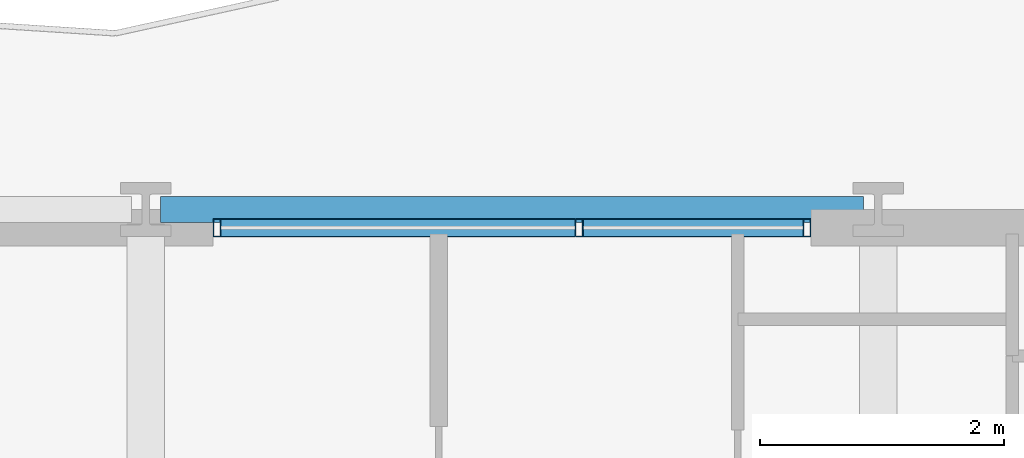
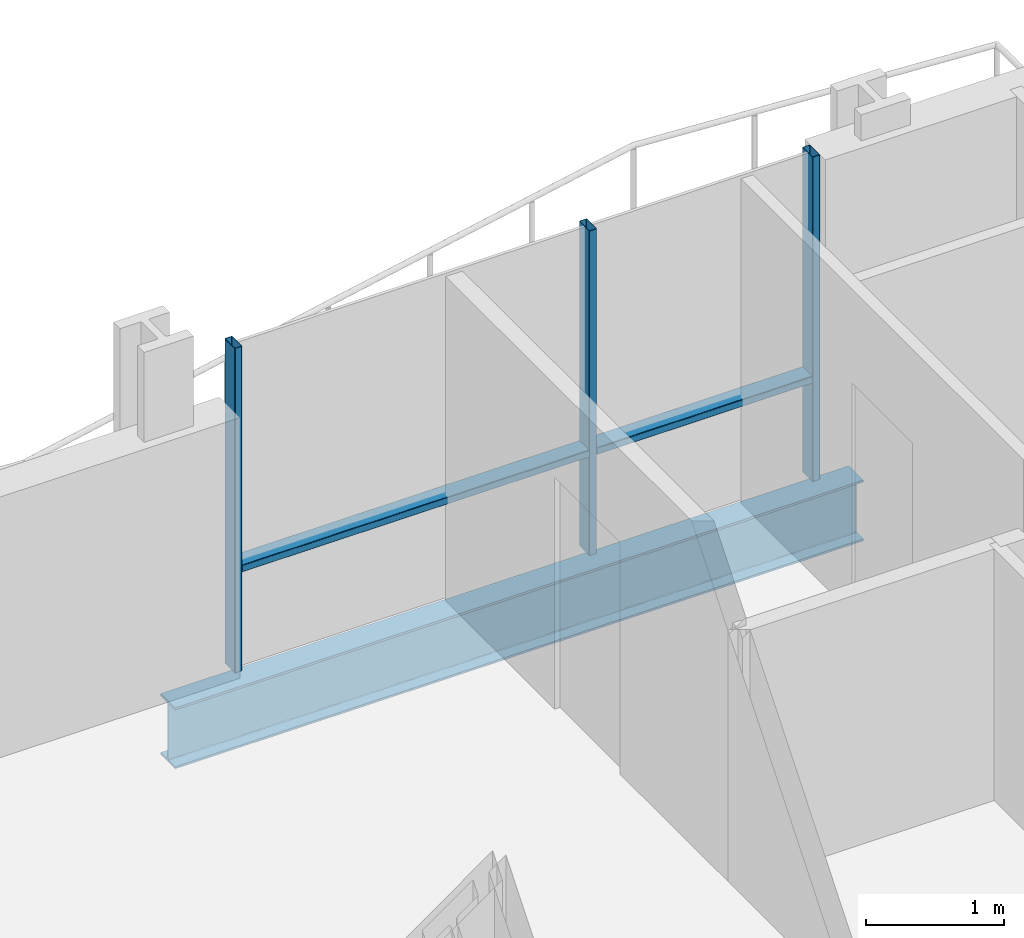
# One storey, part 24 of 41: 5 members, 1 beam, 1 element without a shape of its own.
"""IFC4 building model written with IfcOpenShell, lengths in metres."""

from ifc_helpers import new_model, si_unit, direction, frame, origin, origin_2d, place, context, subcontext, project, spatial, hollow_rectangle, i_section, extrude, material, layer, layer_set, material_profile, profile_set, type_object, element, aggregate, save


model = new_model("IFC4")

# Units and contexts
model_context = context("Model", 3, precision=1e-05, world=origin(), true_north=direction((0.0, 1.0)))
body_context = subcontext(model_context, "Body", "Model", "MODEL_VIEW")
ifc_project = project(units=[si_unit("LENGTHUNIT", "METRE"), si_unit("AREAUNIT", "SQUARE_METRE"), si_unit("VOLUMEUNIT", "CUBIC_METRE"), si_unit("PLANEANGLEUNIT", "RADIAN"), si_unit("MASSUNIT", "GRAM", prefix="KILO")], contexts=[model_context])

# Site, building, storey
site_placement = place(None, origin())
site = spatial("IfcSite", under=ifc_project, at=site_placement, CompositionType="ELEMENT")
building_placement = place(site_placement, origin())
building = spatial("IfcBuilding", under=site, at=building_placement, Name="Brevholm Reach", CompositionType="ELEMENT")
storey_placement = place(building_placement, frame((0.0, 0.0, 49.699951171875)))
storey = spatial("IfcBuildingStorey", under=building, at=storey_placement, Name="L13", CompositionType="ELEMENT", Elevation=49.699951171875)

# Beam
ifc_material_1 = material(Name="Structural Steel S355J2", Category="steel")
ifc_material_profile_1 = material_profile(ifc_material_1, i_section(OverallWidth=0.210693359375, OverallDepth=0.53955078125, WebThickness=0.01171875, FlangeThickness=0.018798828125, FilletRadius=0.0126953125, at=origin_2d()), Name="UKB 533x210x109")
ifc_profile_set_1 = profile_set([ifc_material_profile_1], Name="Structural Steel S355J2")
beam_type = type_object("IfcBeamType", Name="BM-SP539", PredefinedType="SPANDREL", material=ifc_profile_set_1)
beam_placement = place(storey_placement, frame((48.1201171875, 31.0, -0.499755859375), z_axis=(1.0, 0.0, 0.0), x_axis=(0.0, 1.0, 0.0)))
element("IfcBeam", 1, at=beam_placement, inside=storey, type_object=beam_type, Name="L13 SP-01B Framing Beam", PredefinedType="SPANDREL", context=body_context, shape_type="SweptSolid", body=[
    extrude(i_section(OverallWidth=0.210693359375, OverallDepth=0.53955078125, WebThickness=0.01171875, FlangeThickness=0.018798828125, FilletRadius=0.0126953125, at=origin_2d()), origin(), (0.0, 0.0, 1.0), 5.759765625),
])

# Curtain wall, members
ifc_material_2 = material(Name="Dark Anodised Aluminium 6063-T6 and Solar-Control Glass", Category="aluminium")
ifc_layer = layer(ifc_material_2, 0.14990234375)
ifc_layer_set = layer_set([ifc_layer], Name="Dark Anodised Aluminium 6063-T6 and Solar-Control Glass")
curtain_wall_type = type_object("IfcCurtainWallType", Name="CW-01", PredefinedType="NOTDEFINED", material=ifc_layer_set)
curtain_wall_placement = place(storey_placement, origin())
curtain_wall = element("IfcCurtainWall", 2, at=curtain_wall_placement, inside=storey, type_object=curtain_wall_type, Name="L13 Curtain Wall CW-01", PredefinedType="NOTDEFINED")
ifc_material_3 = material(Name="Dark Anodised Aluminium 6063-T6", Category="aluminium")
ifc_material_profile_2 = material_profile(ifc_material_3, hollow_rectangle(XDim=0.06494140625, YDim=0.14990234375, WallThickness=0.0048828125, InnerFilletRadius=0.0048828125, OuterFilletRadius=0.010009765625, at=origin_2d()), Name="RHS 150x65x5")
ifc_profile_set_2 = profile_set([ifc_material_profile_2], Name="Dark Anodised Aluminium 6063-T6")
member_type_1 = type_object("IfcMemberType", Name="CWM-150", PredefinedType="MULLION", material=ifc_profile_set_2)
member_1_placement = place(storey_placement, frame((48.58251953125, 30.85009765625, 0.0), z_axis=(0.0, 0.0, 1.0), x_axis=(1.0, 0.0, 0.0)))
member_1 = element("IfcMember", 3, at=member_1_placement, type_object=member_type_1, Name="CM-150 Mullion 1", PredefinedType="MULLION", context=body_context, shape_type="SweptSolid", body=[
    extrude(hollow_rectangle(XDim=0.06494140625, YDim=0.14990234375, WallThickness=0.0048828125, InnerFilletRadius=0.0048828125, OuterFilletRadius=0.010009765625, at=origin_2d()), origin(), (0.0, 0.0, 1.0), 2.8701171875),
])
member_2_placement = place(storey_placement, frame((51.550048828125, 30.85009765625, 0.0), z_axis=(0.0, 0.0, 1.0), x_axis=(1.0, 0.0, 0.0)))
member_2 = element("IfcMember", 4, at=member_2_placement, type_object=member_type_1, Name="CM-150 Mullion 2", PredefinedType="MULLION", context=body_context, shape_type="SweptSolid", body=[
    extrude(hollow_rectangle(XDim=0.06494140625, YDim=0.14990234375, WallThickness=0.0048828125, InnerFilletRadius=0.0048828125, OuterFilletRadius=0.010009765625, at=origin_2d()), origin(), (0.0, 0.0, 1.0), 2.8701171875),
])
member_3_placement = place(storey_placement, frame((53.41748046875, 30.85009765625, 0.0), z_axis=(0.0, 0.0, 1.0), x_axis=(1.0, 0.0, 0.0)))
member_3 = element("IfcMember", 5, at=member_3_placement, type_object=member_type_1, Name="CM-150 Mullion 3", PredefinedType="MULLION", context=body_context, shape_type="SweptSolid", body=[
    extrude(hollow_rectangle(XDim=0.06494140625, YDim=0.14990234375, WallThickness=0.0048828125, InnerFilletRadius=0.0048828125, OuterFilletRadius=0.010009765625, at=origin_2d()), origin(), (0.0, 0.0, 1.0), 2.8701171875),
])
ifc_material_4 = material(Name="Dark Anodised Aluminium 6063-T6", Category="aluminium")
ifc_material_profile_3 = material_profile(ifc_material_4, hollow_rectangle(XDim=0.06494140625, YDim=0.14990234375, WallThickness=0.0048828125, InnerFilletRadius=0.0048828125, OuterFilletRadius=0.010009765625, at=origin_2d()), Name="RHS 150x65x5")
ifc_profile_set_3 = profile_set([ifc_material_profile_3], Name="Dark Anodised Aluminium 6063-T6")
member_type_2 = type_object("IfcMemberType", Name="CWT-150", PredefinedType="NOTDEFINED", material=ifc_profile_set_3)
member_4_placement = place(storey_placement, frame((48.614990234375, 30.85009765625, 0.900146484375), z_axis=(1.0, 0.0, 0.0), x_axis=(0.0, 0.0, 1.0)))
member_4 = element("IfcMember", 6, at=member_4_placement, type_object=member_type_2, Name="CT-150 Transom 1.1", ObjectType="TRANSOM", PredefinedType="USERDEFINED", context=body_context, shape_type="SweptSolid", body=[
    extrude(hollow_rectangle(XDim=0.06494140625, YDim=0.14990234375, WallThickness=0.0048828125, InnerFilletRadius=0.0048828125, OuterFilletRadius=0.010009765625, at=origin_2d()), origin(), (0.0, 0.0, 1.0), 2.902587890625),
])
member_5_placement = place(storey_placement, frame((51.58251953125, 30.85009765625, 0.900146484375), z_axis=(1.0, 0.0, 0.0), x_axis=(0.0, 0.0, 1.0)))
member_5 = element("IfcMember", 7, at=member_5_placement, type_object=member_type_2, Name="CT-150 Transom 2.1", ObjectType="TRANSOM", PredefinedType="USERDEFINED", context=body_context, shape_type="SweptSolid", body=[
    extrude(hollow_rectangle(XDim=0.06494140625, YDim=0.14990234375, WallThickness=0.0048828125, InnerFilletRadius=0.0048828125, OuterFilletRadius=0.010009765625, at=origin_2d()), origin(), (0.0, 0.0, 1.0), 1.802490234375),
])
aggregate(curtain_wall, [member_1, member_2, member_3, member_4, member_5])

save(model, "model.ifc")
